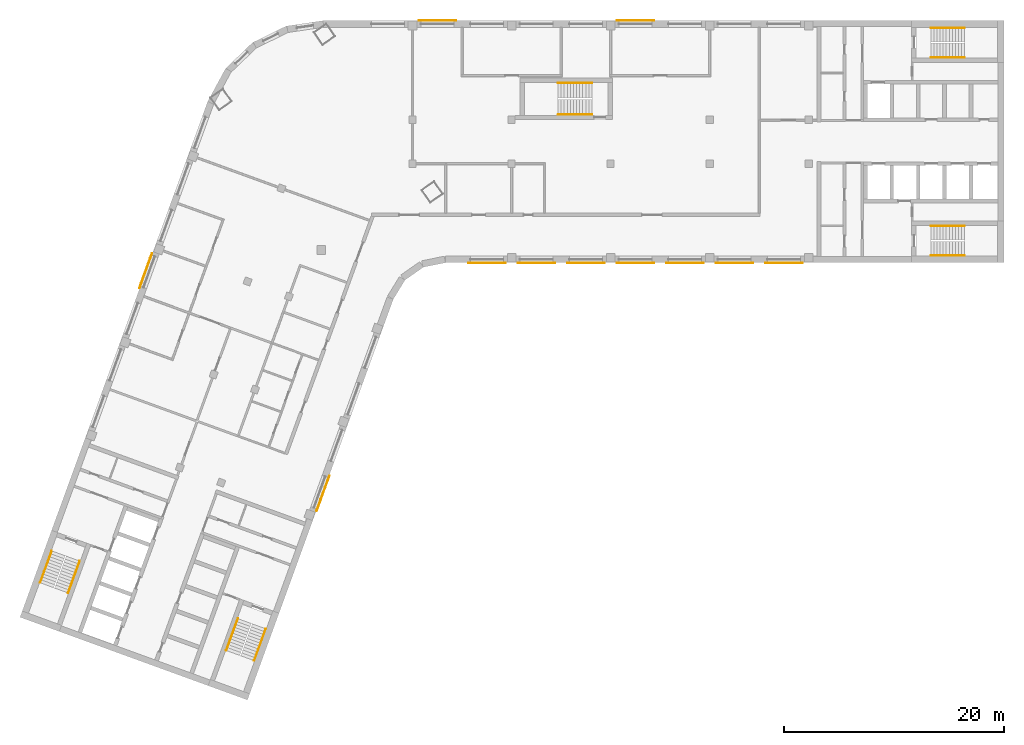
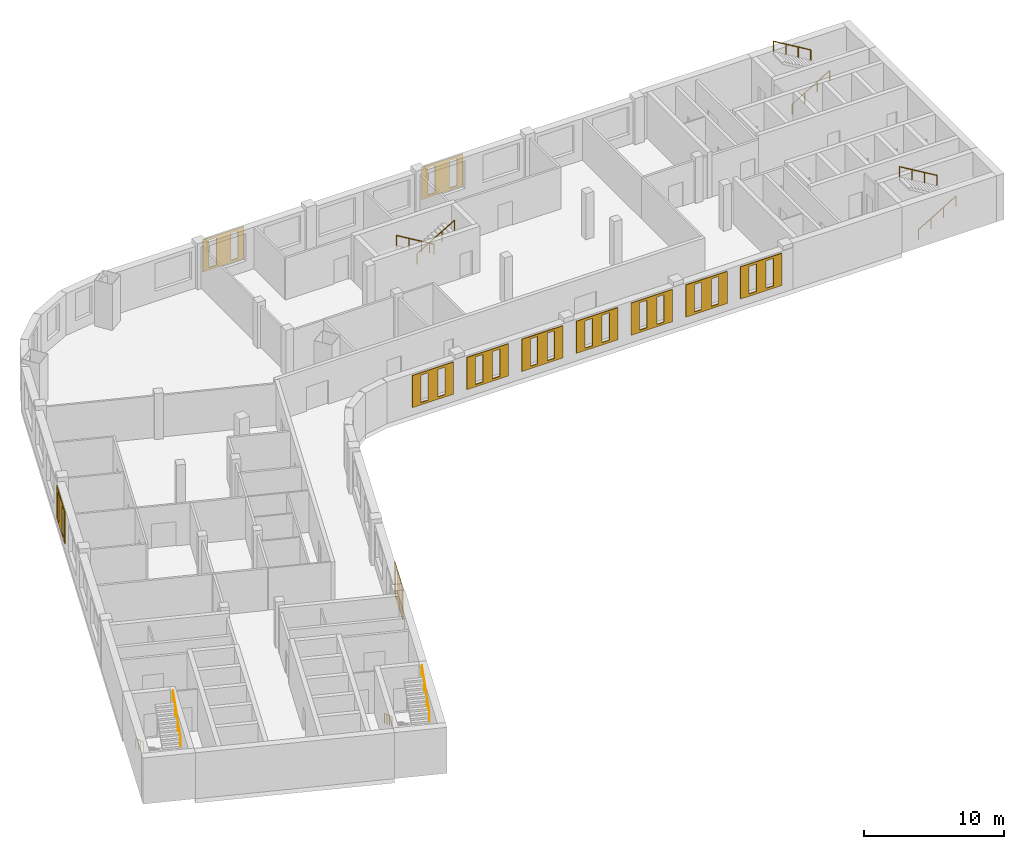
# One storey, part 8 of 8: 11 coverings, 10 railings.
"""IFC4 building model written with IfcOpenShell, lengths in metres."""

import ifcopenshell
import ifcopenshell.guid

model = None  # the IFC model being written
_history = None  # IfcOwnerHistory: only IFC2X3 demands one
_inside = {}  # id of a spatial element -> (the spatial element, [elements in it])
_under = {}  # id of a project, library or spatial element -> (it, [spatial elements below it])
_declared = {}  # id of a project -> (the project, [libraries it declares])
_typed = {}  # id of a type object -> (the type object, [elements of that type])
_made_of = {}  # id of a material, layer set ... -> (it, [elements and type objects made of it])


def new_model(schema):
    """Start an empty IFC model of exactly this schema.

    Asked for "IFC4X3", IfcOpenShell would pick the latest addendum, in which some entities
    have other attributes; the version numbers below select the first issue.
    IFC2X3 requires an IfcOwnerHistory on every rooted entity: one is made here for all.
    """
    global model, _history
    if schema == "IFC4X3":
        model = ifcopenshell.file(schema_version=(4, 3, 0, 0))
    else:
        model = ifcopenshell.file(schema=schema)
    _inside.clear()
    _under.clear()
    _declared.clear()
    _typed.clear()
    _made_of.clear()
    _history = None
    if model.schema == "IFC2X3":
        org = make("IfcOrganization", Name="unknown")
        user = make(
            "IfcPersonAndOrganization",
            ThePerson=make("IfcPerson", FamilyName="unknown"),
            TheOrganization=org,
        )
        app = make(
            "IfcApplication",
            ApplicationDeveloper=org,
            Version="unknown",
            ApplicationFullName="unknown",
            ApplicationIdentifier="unknown",
        )
        _history = make(
            "IfcOwnerHistory",
            OwningUser=user,
            OwningApplication=app,
            ChangeAction="ADDED",
            CreationDate=0,
        )
    return model


def make(cls, **values):
    """One entity of the class cls with the attributes given. An attribute that is None is left unset."""
    return model.create_entity(
        cls, **{name: value for name, value in values.items() if value is not None}
    )


def rooted(cls, **values):
    """An entity with a GlobalId (a new one), such as an element, a storey or a relation."""
    return make(cls, GlobalId=ifcopenshell.guid.new(), OwnerHistory=_history, **values)


def si_unit(unit_type, name, prefix=None):
    """IfcSIUnit, for example si_unit("LENGTHUNIT", "METRE", prefix="MILLI")."""
    return make("IfcSIUnit", UnitType=unit_type, Prefix=prefix, Name=name)


def assignment(units):
    """IfcUnitAssignment: the units of a project."""
    return None if units is None else make("IfcUnitAssignment", Units=units)


def point(xyz):
    """IfcCartesianPoint."""
    return None if xyz is None else make("IfcCartesianPoint", Coordinates=xyz)


def direction(xyz):
    """IfcDirection."""
    return None if xyz is None else make("IfcDirection", DirectionRatios=xyz)


def frame(location, z_axis=None, x_axis=None):
    """IfcAxis2Placement3D, a coordinate frame: its origin and axes. An axis left out is left unset."""
    return make(
        "IfcAxis2Placement3D",
        Location=point(location),
        Axis=direction(z_axis),
        RefDirection=direction(x_axis),
    )


def frame_2d(location, x_axis=None):
    """IfcAxis2Placement2D, a coordinate frame in the plane: its origin and x axis."""
    return make(
        "IfcAxis2Placement2D", Location=point(location), RefDirection=direction(x_axis)
    )


def origin():
    """The frame at (0, 0, 0) with its axes left unset."""
    return frame((0.0, 0.0, 0.0))


def origin_2d():
    """The frame at (0, 0) in the plane with its x axis left unset."""
    return frame_2d((0.0, 0.0))


def place(relative_to, where):
    """IfcLocalPlacement: puts the frame where relative to a parent placement (None: the world)."""
    return make(
        "IfcLocalPlacement", PlacementRelTo=relative_to, RelativePlacement=where
    )


def context(
    kind, dimensions, precision=None, world=None, true_north=None, identifier=None
):
    """IfcGeometricRepresentationContext, for example the 3D "Model" context."""
    return make(
        "IfcGeometricRepresentationContext",
        ContextIdentifier=identifier,
        ContextType=kind,
        CoordinateSpaceDimension=dimensions,
        Precision=precision,
        WorldCoordinateSystem=world,
        TrueNorth=true_north,
    )


def subcontext(parent, identifier, kind, view, scale=None):
    """IfcGeometricRepresentationSubContext, for example "Body" below "Model"."""
    return make(
        "IfcGeometricRepresentationSubContext",
        ContextIdentifier=identifier,
        ContextType=kind,
        ParentContext=parent,
        TargetScale=scale,
        TargetView=view,
    )


def project(units=None, contexts=None):
    """IfcProject with its units and contexts."""
    return rooted(
        "IfcProject",
        Name="project",
        RepresentationContexts=contexts,
        UnitsInContext=assignment(units),
    )


def spatial(cls, under=None, at=None, **own):
    """A site, building, storey or space (cls), placed at a placement, below another one or the project."""
    s = rooted(cls, ObjectPlacement=at, **own)
    if under is not None:
        _under.setdefault(under.id(), (under, []))[1].append(s)
    return s


def polyline(points):
    """IfcPolyline through the points."""
    return make("IfcPolyline", Points=[point(p) for p in points])


def profile(cls, at=None, kind="AREA", **sizes):
    """A parametric profile (cls). Its sizes go by their IFC names, for example OverallWidth=200.0."""
    return make(cls, ProfileType=kind, Position=at, **sizes)


def circle(**sizes):
    """IfcCircleProfileDef."""
    return profile("IfcCircleProfileDef", **sizes)


def outline(outer, holes=None, kind="AREA"):
    """IfcArbitraryClosedProfileDef: a profile drawn as a closed curve; with holes, ...WithVoids."""
    if holes is None:
        return make("IfcArbitraryClosedProfileDef", ProfileType=kind, OuterCurve=outer)
    return make(
        "IfcArbitraryProfileDefWithVoids",
        ProfileType=kind,
        OuterCurve=outer,
        InnerCurves=holes,
    )


def extrude(swept, where, along, depth):
    """IfcExtrudedAreaSolid: the profile swept, set in the frame where, extruded along a direction by depth."""
    return make(
        "IfcExtrudedAreaSolid",
        SweptArea=swept,
        Position=where,
        ExtrudedDirection=direction(along),
        Depth=depth,
    )


def shape(context_of_items, identifier, shape_type, items):
    """IfcShapeRepresentation: the items that make up one representation, for example the "Body"."""
    return make(
        "IfcShapeRepresentation",
        ContextOfItems=context_of_items,
        RepresentationIdentifier=identifier,
        RepresentationType=shape_type,
        Items=items,
    )


def material(Name=None, Category=None):
    """IfcMaterial."""
    return make("IfcMaterial", Name=Name, Category=Category)


def material_profile(
    of_material, cross_section, Name=None, Category=None, Priority=None
):
    """IfcMaterialProfile: a cross section and its material."""
    return make(
        "IfcMaterialProfile",
        Name=Name,
        Material=of_material,
        Profile=cross_section,
        Priority=Priority,
        Category=Category,
    )


def profile_set(profiles, Name=None, composite=None):
    """IfcMaterialProfileSet."""
    return make(
        "IfcMaterialProfileSet",
        Name=Name,
        MaterialProfiles=profiles,
        CompositeProfile=composite,
    )


def made_of(thing, what):
    """Note that an element or type object is made of a material, layer set ...; save() writes the relation."""
    if what is not None:
        _made_of.setdefault(what.id(), (what, []))[1].append(thing)
    return thing


def type_object(cls, material=None, **own):
    """A type object (cls), such as IfcWallType, which elements share."""
    return made_of(rooted(cls, **own), material)


def element(
    cls,
    number,
    at=None,
    inside=None,
    cuts=None,
    type_object=None,
    material=None,
    context=None,
    identifier="Body",
    shape_type=None,
    held_by="IfcProductDefinitionShape",
    body=None,
    shapes=None,
    **own,
):
    """One element of the class cls, such as IfcWall. Its Tag is "e" and its number.

    at: its placement. inside: the storey or other place that contains it. cuts: it is an
    opening in that element (IfcRelVoidsElement). A single representation is given by context,
    identifier, shape_type and body (its items); several are given by shapes. held_by: the class
    of the entity that holds the representations. save() writes the other relations.
    """
    e = rooted(cls, Tag="e%d" % number, ObjectPlacement=at, **own)
    if body is not None:
        shapes = [shape(context, identifier, shape_type, body)]
    if shapes is not None:
        e.Representation = make(held_by, Representations=shapes)
    if inside is not None:
        _inside.setdefault(inside.id(), (inside, []))[1].append(e)
    if cuts is not None:
        rooted(
            "IfcRelVoidsElement", RelatingBuildingElement=cuts, RelatedOpeningElement=e
        )
    if type_object is not None:
        _typed.setdefault(type_object.id(), (type_object, []))[1].append(e)
    return made_of(e, material)


def aggregate(whole, parts):
    """IfcRelAggregates: a whole, such as a stair, and the parts it consists of."""
    return rooted("IfcRelAggregates", RelatingObject=whole, RelatedObjects=parts)


def save(model, path):
    """Write the relations noted so far, then the file.

    IfcRelAggregates (storeys below a building ...), IfcRelContainedInSpatialStructure (elements
    in a storey), IfcRelDefinesByType, IfcRelAssociatesMaterial and IfcRelDeclares: one each for
    every whole, place, type object, material and project.
    """
    for whole, parts in _under.values():
        aggregate(whole, parts)
    for where, things in _inside.values():
        rooted(
            "IfcRelContainedInSpatialStructure",
            RelatedElements=things,
            RelatingStructure=where,
        )
    for kind, things in _typed.values():
        rooted("IfcRelDefinesByType", RelatedObjects=things, RelatingType=kind)
    for what, things in _made_of.values():
        rooted("IfcRelAssociatesMaterial", RelatedObjects=things, RelatingMaterial=what)
    for by, libraries in _declared.values():
        rooted("IfcRelDeclares", RelatingContext=by, RelatedDefinitions=libraries)
    model.write(path)


model = new_model("IFC4")

# Units and contexts
model_context = context("Model", 3, precision=1e-05, world=origin(), true_north=direction((0.0, 1.0)))
body_context = subcontext(model_context, "Body", "Model", "MODEL_VIEW")
ifc_project = project(units=[si_unit("LENGTHUNIT", "METRE"), si_unit("AREAUNIT", "SQUARE_METRE"), si_unit("VOLUMEUNIT", "CUBIC_METRE"), si_unit("PLANEANGLEUNIT", "RADIAN"), si_unit("MASSUNIT", "GRAM", prefix="KILO")], contexts=[model_context])

# Site, building, storey
site_placement = place(None, origin())
site = spatial("IfcSite", under=ifc_project, at=site_placement, CompositionType="ELEMENT")
building_placement = place(site_placement, origin())
building = spatial("IfcBuilding", under=site, at=building_placement, Name="Skarvind Civic Tower", CompositionType="ELEMENT")
storey_placement = place(building_placement, frame((0.0, 0.0, 170.5)))
storey = spatial("IfcBuildingStorey", under=building, at=storey_placement, Name="L40", CompositionType="ELEMENT", Elevation=170.5)

# Railings
ifc_material_1 = material(Name="Painted steel handrail", Category="steel")
railing_type = type_object("IfcRailingType", Name="Stair handrail 900", PredefinedType="HANDRAIL", material=ifc_material_1)
railing_1_placement = place(storey_placement, frame((101.35009765625, 135.64990234375, 0.166748046875)))
element("IfcRailing", 1, at=railing_1_placement, inside=storey, type_object=railing_type, Name="Stair handrail", PredefinedType="HANDRAIL", context=body_context, shape_type="SweptSolid", body=[
    extrude(circle(Radius=0.02392578125, at=origin_2d()), frame((0.0, 0.0, 0.8759765625), z_axis=(0.859290745958, 0.0, 0.51148745235), x_axis=(0.0, 1.0, 0.0)), (0.0, 0.0, 1.0), 3.584228515625),
    extrude(circle(Radius=0.02099609375, at=origin_2d()), origin(), (0.0, 0.0, 1.0), 0.851806640625),
    extrude(circle(Radius=0.02099609375, at=origin_2d()), frame((1.026611328125, 0.0, 0.611083984375)), (0.0, 0.0, 1.0), 0.851806640625),
    extrude(circle(Radius=0.02099609375, at=origin_2d()), frame((2.05322265625, 0.0, 1.22216796875)), (0.0, 0.0, 1.0), 0.851806640625),
    extrude(circle(Radius=0.02099609375, at=origin_2d()), frame((3.079833984375, 0.0, 1.833251953125)), (0.0, 0.0, 1.0), 0.851806640625),
])
railing_2_placement = place(storey_placement, frame((104.429931640625, 138.35009765625, 2.166748046875)))
element("IfcRailing", 2, at=railing_2_placement, inside=storey, type_object=railing_type, Name="Stair handrail", PredefinedType="HANDRAIL", context=body_context, shape_type="SweptSolid", body=[
    extrude(circle(Radius=0.02392578125, at=origin_2d()), frame((0.0, 0.0, 0.8759765625), z_axis=(-0.859290745958, 0.0, 0.51148745235), x_axis=(0.0, -1.0, 0.0)), (0.0, 0.0, 1.0), 3.584228515625),
    extrude(circle(Radius=0.02099609375, at=origin_2d()), origin(), (0.0, 0.0, 1.0), 0.851806640625),
    extrude(circle(Radius=0.02099609375, at=origin_2d()), frame((-1.026611328125, 0.0, 0.611083984375)), (0.0, 0.0, 1.0), 0.851806640625),
    extrude(circle(Radius=0.02099609375, at=origin_2d()), frame((-2.05322265625, 0.0, 1.22216796875)), (0.0, 0.0, 1.0), 0.851806640625),
    extrude(circle(Radius=0.02099609375, at=origin_2d()), frame((-3.079833984375, 0.0, 1.833251953125)), (0.0, 0.0, 1.0), 0.851806640625),
])
railing_3_placement = place(storey_placement, frame((101.35009765625, 117.64990234375, 0.166748046875)))
element("IfcRailing", 3, at=railing_3_placement, inside=storey, type_object=railing_type, Name="Stair handrail", PredefinedType="HANDRAIL", context=body_context, shape_type="SweptSolid", body=[
    extrude(circle(Radius=0.02392578125, at=origin_2d()), frame((0.0, 0.0, 0.8759765625), z_axis=(0.859290745958, 0.0, 0.51148745235), x_axis=(0.0, 1.0, 0.0)), (0.0, 0.0, 1.0), 3.584228515625),
    extrude(circle(Radius=0.02099609375, at=origin_2d()), origin(), (0.0, 0.0, 1.0), 0.851806640625),
    extrude(circle(Radius=0.02099609375, at=origin_2d()), frame((1.026611328125, 0.0, 0.611083984375)), (0.0, 0.0, 1.0), 0.851806640625),
    extrude(circle(Radius=0.02099609375, at=origin_2d()), frame((2.05322265625, 0.0, 1.22216796875)), (0.0, 0.0, 1.0), 0.851806640625),
    extrude(circle(Radius=0.02099609375, at=origin_2d()), frame((3.079833984375, 0.0, 1.833251953125)), (0.0, 0.0, 1.0), 0.851806640625),
])
railing_4_placement = place(storey_placement, frame((104.429931640625, 120.35009765625, 2.166748046875)))
element("IfcRailing", 4, at=railing_4_placement, inside=storey, type_object=railing_type, Name="Stair handrail", PredefinedType="HANDRAIL", context=body_context, shape_type="SweptSolid", body=[
    extrude(circle(Radius=0.02392578125, at=origin_2d()), frame((0.0, 0.0, 0.8759765625), z_axis=(-0.859290745958, 0.0, 0.51148745235), x_axis=(0.0, -1.0, 0.0)), (0.0, 0.0, 1.0), 3.584228515625),
    extrude(circle(Radius=0.02099609375, at=origin_2d()), origin(), (0.0, 0.0, 1.0), 0.851806640625),
    extrude(circle(Radius=0.02099609375, at=origin_2d()), frame((-1.026611328125, 0.0, 0.611083984375)), (0.0, 0.0, 1.0), 0.851806640625),
    extrude(circle(Radius=0.02099609375, at=origin_2d()), frame((-2.05322265625, 0.0, 1.22216796875)), (0.0, 0.0, 1.0), 0.851806640625),
    extrude(circle(Radius=0.02099609375, at=origin_2d()), frame((-3.079833984375, 0.0, 1.833251953125)), (0.0, 0.0, 1.0), 0.851806640625),
])
railing_5_placement = place(storey_placement, frame((38.362060546875, 84.64794921875, 0.166748046875)))
element("IfcRailing", 5, at=railing_5_placement, inside=storey, type_object=railing_type, Name="Stair handrail", PredefinedType="HANDRAIL", context=body_context, shape_type="SweptSolid", body=[
    extrude(circle(Radius=0.02392578125, at=origin_2d()), frame((0.0, 0.0, 0.8759765625), z_axis=(-0.293908055923, -0.807480881337, 0.511461319103), x_axis=(0.939689235759, -0.342029443467, 0.0)), (0.0, 0.0, 1.0), 3.584228515625),
    extrude(circle(Radius=0.02099609375, at=origin_2d()), origin(), (0.0, 0.0, 1.0), 0.851806640625),
    extrude(circle(Radius=0.02099609375, at=origin_2d()), frame((-0.35107421875, -0.96484375, 0.611083984375)), (0.0, 0.0, 1.0), 0.851806640625),
    extrude(circle(Radius=0.02099609375, at=origin_2d()), frame((-0.702392578125, -1.929443359375, 1.22216796875)), (0.0, 0.0, 1.0), 0.851806640625),
    extrude(circle(Radius=0.02099609375, at=origin_2d()), frame((-1.053466796875, -2.894287109375, 1.833251953125)), (0.0, 0.0, 1.0), 0.851806640625),
])
railing_6_placement = place(storey_placement, frame((39.845703125, 80.830078125, 2.166748046875)))
element("IfcRailing", 6, at=railing_6_placement, inside=storey, type_object=railing_type, Name="Stair handrail", PredefinedType="HANDRAIL", context=body_context, shape_type="SweptSolid", body=[
    extrude(circle(Radius=0.02392578125, at=origin_2d()), frame((0.0, 0.0, 0.8759765625), z_axis=(0.293908055923, 0.807480881337, 0.511461319103), x_axis=(-0.939689235759, 0.342029443467, 0.0)), (0.0, 0.0, 1.0), 3.584228515625),
    extrude(circle(Radius=0.02099609375, at=origin_2d()), origin(), (0.0, 0.0, 1.0), 0.851806640625),
    extrude(circle(Radius=0.02099609375, at=origin_2d()), frame((0.35107421875, 0.96484375, 0.611083984375)), (0.0, 0.0, 1.0), 0.851806640625),
    extrude(circle(Radius=0.02099609375, at=origin_2d()), frame((0.702392578125, 1.929443359375, 1.22216796875)), (0.0, 0.0, 1.0), 0.851806640625),
    extrude(circle(Radius=0.02099609375, at=origin_2d()), frame((1.053466796875, 2.894287109375, 1.833251953125)), (0.0, 0.0, 1.0), 0.851806640625),
])
railing_7_placement = place(storey_placement, frame((21.447509765625, 90.80419921875, 0.166748046875)))
element("IfcRailing", 7, at=railing_7_placement, inside=storey, type_object=railing_type, Name="Stair handrail", PredefinedType="HANDRAIL", context=body_context, shape_type="SweptSolid", body=[
    extrude(circle(Radius=0.02392578125, at=origin_2d()), frame((0.0, 0.0, 0.8759765625), z_axis=(-0.293845824691, -0.807497044902, 0.511471557163), x_axis=(0.939714709796, -0.34195944817, 0.0)), (0.0, 0.0, 1.0), 3.584228515625),
    extrude(circle(Radius=0.02099609375, at=origin_2d()), origin(), (0.0, 0.0, 1.0), 0.851806640625),
    extrude(circle(Radius=0.02099609375, at=origin_2d()), frame((-0.35107421875, -0.96484375, 0.611083984375)), (0.0, 0.0, 1.0), 0.851806640625),
    extrude(circle(Radius=0.02099609375, at=origin_2d()), frame((-0.7021484375, -1.929443359375, 1.22216796875)), (0.0, 0.0, 1.0), 0.851806640625),
    extrude(circle(Radius=0.02099609375, at=origin_2d()), frame((-1.05322265625, -2.894287109375, 1.833251953125)), (0.0, 0.0, 1.0), 0.851806640625),
])
railing_8_placement = place(storey_placement, frame((22.931396484375, 86.986572265625, 2.166748046875)))
element("IfcRailing", 8, at=railing_8_placement, inside=storey, type_object=railing_type, Name="Stair handrail", PredefinedType="HANDRAIL", context=body_context, shape_type="SweptSolid", body=[
    extrude(circle(Radius=0.02392578125, at=origin_2d()), frame((0.0, 0.0, 0.8759765625), z_axis=(0.293908055923, 0.807480881337, 0.511461319103), x_axis=(-0.939689235759, 0.342029443467, 0.0)), (0.0, 0.0, 1.0), 3.584228515625),
    extrude(circle(Radius=0.02099609375, at=origin_2d()), origin(), (0.0, 0.0, 1.0), 0.851806640625),
    extrude(circle(Radius=0.02099609375, at=origin_2d()), frame((0.35107421875, 0.96484375, 0.611083984375)), (0.0, 0.0, 1.0), 0.851806640625),
    extrude(circle(Radius=0.02099609375, at=origin_2d()), frame((0.702392578125, 1.929443359375, 1.22216796875)), (0.0, 0.0, 1.0), 0.851806640625),
    extrude(circle(Radius=0.02099609375, at=origin_2d()), frame((1.053466796875, 2.894287109375, 1.833251953125)), (0.0, 0.0, 1.0), 0.851806640625),
])
railing_9_placement = place(storey_placement, frame((70.550048828125, 133.35009765625, 0.166748046875)))
element("IfcRailing", 9, at=railing_9_placement, inside=storey, type_object=railing_type, Name="Stair handrail", PredefinedType="HANDRAIL", context=body_context, shape_type="SweptSolid", body=[
    extrude(circle(Radius=0.02392578125, at=origin_2d()), frame((0.0, 0.0, 0.8759765625), z_axis=(-0.859308565015, 0.0, 0.511457515432), x_axis=(0.0, -1.0, 0.0)), (0.0, 0.0, 1.0), 3.58447265625),
    extrude(circle(Radius=0.02099609375, at=origin_2d()), origin(), (0.0, 0.0, 1.0), 0.851806640625),
    extrude(circle(Radius=0.02099609375, at=origin_2d()), frame((-1.026611328125, 0.0, 0.611083984375)), (0.0, 0.0, 1.0), 0.851806640625),
    extrude(circle(Radius=0.02099609375, at=origin_2d()), frame((-2.053466796875, 0.0, 1.22216796875)), (0.0, 0.0, 1.0), 0.851806640625),
    extrude(circle(Radius=0.02099609375, at=origin_2d()), frame((-3.080078125, 0.0, 1.833251953125)), (0.0, 0.0, 1.0), 0.851806640625),
])
railing_10_placement = place(storey_placement, frame((67.469970703125, 130.449951171875, 2.166748046875)))
element("IfcRailing", 10, at=railing_10_placement, inside=storey, type_object=railing_type, Name="Stair handrail", PredefinedType="HANDRAIL", context=body_context, shape_type="SweptSolid", body=[
    extrude(circle(Radius=0.02392578125, at=origin_2d()), frame((0.0, 0.0, 0.8759765625), z_axis=(0.859308565015, 0.0, 0.511457515432), x_axis=(0.0, 1.0, 0.0)), (0.0, 0.0, 1.0), 3.58447265625),
    extrude(circle(Radius=0.02099609375, at=origin_2d()), origin(), (0.0, 0.0, 1.0), 0.851806640625),
    extrude(circle(Radius=0.02099609375, at=origin_2d()), frame((1.026611328125, 0.0, 0.611083984375)), (0.0, 0.0, 1.0), 0.851806640625),
    extrude(circle(Radius=0.02099609375, at=origin_2d()), frame((2.053466796875, 0.0, 1.22216796875)), (0.0, 0.0, 1.0), 0.851806640625),
    extrude(circle(Radius=0.02099609375, at=origin_2d()), frame((3.080078125, 0.0, 1.833251953125)), (0.0, 0.0, 1.0), 0.851806640625),
])

# Coverings
ifc_material_2 = material(Name="Terracotta", Category="masonry")
ifc_material_profile_1 = material_profile(ifc_material_2, outline(polyline([(-1.699951171875, -1.39990234375), (1.699951171875, -1.39990234375), (1.699951171875, 1.39990234375), (-1.699951171875, 1.39990234375), (-1.699951171875, -1.39990234375)]), holes=[polyline([(-1.0, -1.18994140625), (-0.39990234375, -1.18994140625), (-0.39990234375, 1.18994140625), (-1.0, 1.18994140625), (-1.0, -1.18994140625)]), polyline([(0.39990234375, -1.18994140625), (1.0, -1.18994140625), (1.0, 1.18994140625), (0.39990234375, 1.18994140625), (0.39990234375, -1.18994140625)])]), Name="TERRACOTTA SCREEN 3400 x 2800, SLIT PITCH 1400")
ifc_profile_set_1 = profile_set([ifc_material_profile_1], Name="Terracotta")
covering_type_1 = type_object("IfcCoveringType", Name="TERRACOTTA SCREEN 3400 x 2800, SLIT PITCH 1400", PredefinedType="CLADDING", material=ifc_profile_set_1)
for number, where, z_axis, x_axis, name in (
    (11, (88.0, 117.0, 2.10009765625), (0.0, -1.0, 0.0), (1.0, 0.0, 0.0), "TERRACOTTA SCREEN"),
    (12, (83.5, 117.0, 2.10009765625), (0.0, -1.0, 0.0), (1.0, 0.0, 0.0), "TERRACOTTA SCREEN"),
    (13, (79.0, 117.0, 2.10009765625), (0.0, -1.0, 0.0), (1.0, 0.0, 0.0), "TERRACOTTA SCREEN"),
    (14, (74.5, 117.0, 2.10009765625), (0.0, -1.0, 0.0), (1.0, 0.0, 0.0), "TERRACOTTA SCREEN"),
    (15, (70.0, 117.0, 2.10009765625), (0.0, -1.0, 0.0), (1.0, 0.0, 0.0), "TERRACOTTA SCREEN"),
    (16, (65.5, 117.0, 2.10009765625), (0.0, -1.0, 0.0), (1.0, 0.0, 0.0), "TERRACOTTA SCREEN"),
    (17, (61.0, 117.0, 2.10009765625), (0.0, -1.0, 0.0), (1.0, 0.0, 0.0), "TERRACOTTA SCREEN"),
):
    element("IfcCovering", number, at=place(storey_placement, frame(where, z_axis=z_axis, x_axis=x_axis)), inside=storey, type_object=covering_type_1, Name=name, PredefinedType="CLADDING", context=body_context, shape_type="SweptSolid", body=[
        extrude(outline(polyline([(-1.699951171875, -1.39990234375), (1.699951171875, -1.39990234375), (1.699951171875, 1.39990234375), (-1.699951171875, 1.39990234375), (-1.699951171875, -1.39990234375)]), holes=[polyline([(-1.0, -1.18994140625), (-0.39990234375, -1.18994140625), (-0.39990234375, 1.18994140625), (-1.0, 1.18994140625), (-1.0, -1.18994140625)]), polyline([(0.39990234375, -1.18994140625), (1.0, -1.18994140625), (1.0, 1.18994140625), (0.39990234375, 1.18994140625), (0.39990234375, -1.18994140625)])]), origin(), (0.0, 0.0, 1.0), 0.06005859375),
    ])
ifc_material_profile_2 = material_profile(ifc_material_2, outline(polyline([(-1.699951171875, -1.39990234375), (1.699951171875, -1.39990234375), (1.699951171875, 1.39990234375), (-1.699951171875, 1.39990234375), (-1.699951171875, -1.39990234375)]), holes=[polyline([(-1.199951171875, -1.18994140625), (-0.60009765625, -1.18994140625), (-0.60009765625, 1.18994140625), (-1.199951171875, 1.18994140625), (-1.199951171875, -1.18994140625)]), polyline([(0.60009765625, -1.18994140625), (1.199951171875, -1.18994140625), (1.199951171875, 1.18994140625), (0.60009765625, 1.18994140625), (0.60009765625, -1.18994140625)])]), Name="TERRACOTTA SCREEN 3400 x 2800, SLIT PITCH 1800")
ifc_profile_set_2 = profile_set([ifc_material_profile_2], Name="Terracotta")
covering_type_2 = type_object("IfcCoveringType", Name="TERRACOTTA SCREEN 3400 x 2800, SLIT PITCH 1800", PredefinedType="CLADDING", material=ifc_profile_set_2)
for number, where, z_axis, x_axis, name in (
    (18, (46.075927734375, 96.047119140625, 2.10009765625), (0.939793423488, -0.341743063087, 0.0), (0.341743063087, 0.939793423488, 0.0), "TERRACOTTA SCREEN"),
    (19, (56.5, 139.0, 2.10009765625), (0.0, 1.0, 0.0), (-1.0, 0.0, 0.0), "TERRACOTTA SCREEN"),
    (20, (74.5, 139.0, 2.10009765625), (0.0, 1.0, 0.0), (-1.0, 0.0, 0.0), "TERRACOTTA SCREEN"),
    (21, (30.02001953125, 116.25732421875, 2.10009765625), (-0.939793423488, 0.341743063087, 0.0), (-0.341743063087, -0.939793423488, 0.0), "TERRACOTTA SCREEN"),
):
    element("IfcCovering", number, at=place(storey_placement, frame(where, z_axis=z_axis, x_axis=x_axis)), inside=storey, type_object=covering_type_2, Name=name, PredefinedType="CLADDING", context=body_context, shape_type="SweptSolid", body=[
        extrude(outline(polyline([(-1.699951171875, -1.39990234375), (1.699951171875, -1.39990234375), (1.699951171875, 1.39990234375), (-1.699951171875, 1.39990234375), (-1.699951171875, -1.39990234375)]), holes=[polyline([(-1.199951171875, -1.18994140625), (-0.60009765625, -1.18994140625), (-0.60009765625, 1.18994140625), (-1.199951171875, 1.18994140625), (-1.199951171875, -1.18994140625)]), polyline([(0.60009765625, -1.18994140625), (1.199951171875, -1.18994140625), (1.199951171875, 1.18994140625), (0.60009765625, 1.18994140625), (0.60009765625, -1.18994140625)])]), origin(), (0.0, 0.0, 1.0), 0.06005859375),
    ])

save(model, "model.ifc")
